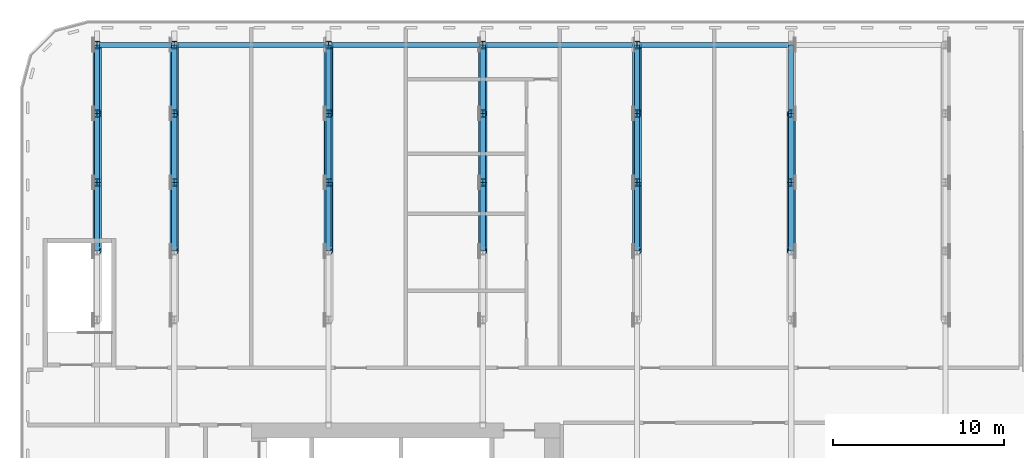
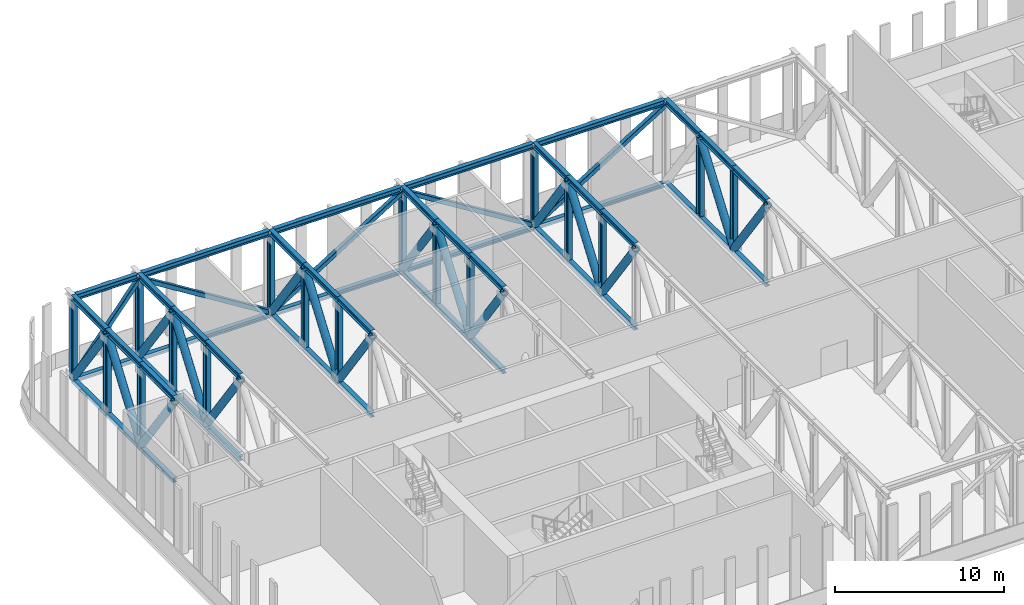
# One storey, part 3 of 26: 85 members.
"""IFC4 building model written with IfcOpenShell, lengths in metres."""

from ifc_helpers import new_model, si_unit, direction, frame, origin, origin_2d, place, context, subcontext, project, spatial, hollow_rectangle, hollow_circle, i_section, extrude, material, material_profile, profile_set, type_object, element, save


model = new_model("IFC4")

# Units and contexts
model_context = context("Model", 3, precision=1e-05, world=origin(), true_north=direction((0.0, 1.0)))
body_context = subcontext(model_context, "Body", "Model", "MODEL_VIEW")
ifc_project = project(units=[si_unit("LENGTHUNIT", "METRE"), si_unit("AREAUNIT", "SQUARE_METRE"), si_unit("VOLUMEUNIT", "CUBIC_METRE"), si_unit("PLANEANGLEUNIT", "RADIAN"), si_unit("MASSUNIT", "GRAM", prefix="KILO")], contexts=[model_context])

# Site, building, storey
site_placement = place(None, origin())
site = spatial("IfcSite", under=ifc_project, at=site_placement, CompositionType="ELEMENT")
building_placement = place(site_placement, origin())
building = spatial("IfcBuilding", under=site, at=building_placement, Name="Kajstack Hotel Tower", CompositionType="ELEMENT")
storey_placement = place(building_placement, frame((0.0, 0.0, 47.0)))
storey = spatial("IfcBuildingStorey", under=building, at=storey_placement, Name="L07", CompositionType="ELEMENT", Elevation=47.0)

# Members
ifc_material = material(Name="Steel S355J2", Category="steel")
ifc_material_profile_1 = material_profile(ifc_material, i_section(OverallWidth=0.300048828125, OverallDepth=0.300048828125, WebThickness=0.010986328125, FlangeThickness=0.01904296875, FilletRadius=0.027099609375, at=origin_2d()), Name="HEB 300")
ifc_profile_set_1 = profile_set([ifc_material_profile_1], Name="Steel S355J2")
member_type_1 = type_object("IfcMemberType", Name="Belt truss bottom chord BB1 HEB 300", PredefinedType="CHORD", material=ifc_profile_set_1)
member_1_placement = place(storey_placement, frame((-40.35009765625, 20.550048828125, -0.14990234375), z_axis=(1.0, 0.0, 0.0), x_axis=(0.0, 1.0, 0.0)))
element("IfcMember", 1, at=member_1_placement, inside=storey, type_object=member_type_1, Name="S-belt-truss-L07-n01-b", PredefinedType="CHORD", context=body_context, shape_type="SweptSolid", body=[
    extrude(i_section(OverallWidth=0.300048828125, OverallDepth=0.300048828125, WebThickness=0.010986328125, FlangeThickness=0.01904296875, FilletRadius=0.027099609375, at=origin_2d()), origin(), (0.0, 0.0, 1.0), 4.2001953125),
])
for number, where, z_axis, x_axis, name in (
    (2, (-35.85009765625, 20.550048828125, -0.14990234375), (1.0, 0.0, 0.0), (0.0, 1.0, 0.0), "S-belt-truss-L07-n02-b"),
    (3, (-26.85009765625, 20.550048828125, -0.14990234375), (1.0, 0.0, 0.0), (0.0, 1.0, 0.0), "S-belt-truss-L07-n03-b"),
    (4, (-17.85009765625, 20.550048828125, -0.14990234375), (1.0, 0.0, 0.0), (0.0, 1.0, 0.0), "S-belt-truss-L07-n04-b"),
    (5, (-8.85009765625, 20.550048828125, -0.14990234375), (1.0, 0.0, 0.0), (0.0, 1.0, 0.0), "S-belt-truss-L07-n05-b"),
):
    element("IfcMember", number, at=place(storey_placement, frame(where, z_axis=z_axis, x_axis=x_axis)), inside=storey, type_object=member_type_1, Name=name, PredefinedType="CHORD", context=body_context, shape_type="SweptSolid", body=[
        extrude(i_section(OverallWidth=0.300048828125, OverallDepth=0.300048828125, WebThickness=0.010986328125, FlangeThickness=0.01904296875, FilletRadius=0.027099609375, at=origin_2d()), origin(), (0.0, 0.0, 1.0), 8.7001953125),
    ])
ifc_material_profile_2 = material_profile(ifc_material, hollow_rectangle(XDim=0.300048828125, YDim=0.300048828125, WallThickness=0.01611328125, InnerFilletRadius=0.01611328125, OuterFilletRadius=0.02392578125, at=origin_2d()), Name="SHS 300x300x16")
ifc_profile_set_2 = profile_set([ifc_material_profile_2], Name="Steel S355J2")
member_type_2 = type_object("IfcMemberType", Name="Belt truss diagonal BD1 SHS 300x300x16", PredefinedType="BRACE", material=ifc_profile_set_2)
member_2_placement = place(storey_placement, frame((-40.5, 20.550048828125, 0.0), z_axis=(0.626384470936, 0.0, 0.779514268356), x_axis=(0.0, 1.0, 0.0)))
element("IfcMember", 6, at=member_2_placement, inside=storey, type_object=member_type_2, Name="S-belt-truss-L07-n01-d", PredefinedType="BRACE", context=body_context, shape_type="SweptSolid", body=[
    extrude(hollow_rectangle(XDim=0.300048828125, YDim=0.300048828125, WallThickness=0.01611328125, InnerFilletRadius=0.01611328125, OuterFilletRadius=0.02392578125, at=origin_2d()), origin(), (0.0, 0.0, 1.0), 7.18408203125),
])
for number, where, z_axis, x_axis, name in (
    (7, (-27.0, 20.550048828125, 0.0), (-0.849052471267, 0.0, 0.528308528264), (0.0, -1.0, 0.0), "S-belt-truss-L07-n02-d"),
    (8, (-27.0, 20.550048828125, 0.0), (0.849052471267, 0.0, 0.528308528264), (0.0, 1.0, 0.0), "S-belt-truss-L07-n03-d"),
    (9, (-9.0, 20.550048828125, 0.0), (-0.849052471267, 0.0, 0.528308528264), (0.0, -1.0, 0.0), "S-belt-truss-L07-n04-d"),
    (10, (-9.0, 20.550048828125, 0.0), (0.849052471267, 0.0, 0.528308528264), (0.0, 1.0, 0.0), "S-belt-truss-L07-n05-d"),
):
    element("IfcMember", number, at=place(storey_placement, frame(where, z_axis=z_axis, x_axis=x_axis)), inside=storey, type_object=member_type_2, Name=name, PredefinedType="BRACE", context=body_context, shape_type="SweptSolid", body=[
        extrude(hollow_rectangle(XDim=0.300048828125, YDim=0.300048828125, WallThickness=0.01611328125, InnerFilletRadius=0.01611328125, OuterFilletRadius=0.02392578125, at=origin_2d()), origin(), (0.0, 0.0, 1.0), 10.60009765625),
    ])
ifc_material_profile_3 = material_profile(ifc_material, i_section(OverallWidth=0.300048828125, OverallDepth=0.39990234375, WebThickness=0.013427734375, FlangeThickness=0.02392578125, FilletRadius=0.027099609375, at=origin_2d()), Name="HEB 400")
ifc_profile_set_3 = profile_set([ifc_material_profile_3], Name="Steel S355J2")
member_type_3 = type_object("IfcMemberType", Name="Belt truss top chord BT1 HEB 400", PredefinedType="CHORD", material=ifc_profile_set_3)
member_3_placement = place(storey_placement, frame((-40.35009765625, 20.550048828125, 5.800048828125), z_axis=(1.0, 0.0, 0.0), x_axis=(0.0, 1.0, 0.0)))
element("IfcMember", 11, at=member_3_placement, inside=storey, type_object=member_type_3, Name="S-belt-truss-L07-n01-t", PredefinedType="CHORD", context=body_context, shape_type="SweptSolid", body=[
    extrude(i_section(OverallWidth=0.300048828125, OverallDepth=0.39990234375, WebThickness=0.013427734375, FlangeThickness=0.02392578125, FilletRadius=0.027099609375, at=origin_2d()), origin(), (0.0, 0.0, 1.0), 4.2001953125),
])
for number, where, z_axis, x_axis, name in (
    (12, (-35.85009765625, 20.550048828125, 5.800048828125), (1.0, 0.0, 0.0), (0.0, 1.0, 0.0), "S-belt-truss-L07-n02-t"),
    (13, (-26.85009765625, 20.550048828125, 5.800048828125), (1.0, 0.0, 0.0), (0.0, 1.0, 0.0), "S-belt-truss-L07-n03-t"),
    (14, (-17.85009765625, 20.550048828125, 5.800048828125), (1.0, 0.0, 0.0), (0.0, 1.0, 0.0), "S-belt-truss-L07-n04-t"),
    (15, (-8.85009765625, 20.550048828125, 5.800048828125), (1.0, 0.0, 0.0), (0.0, 1.0, 0.0), "S-belt-truss-L07-n05-t"),
):
    element("IfcMember", number, at=place(storey_placement, frame(where, z_axis=z_axis, x_axis=x_axis)), inside=storey, type_object=member_type_3, Name=name, PredefinedType="CHORD", context=body_context, shape_type="SweptSolid", body=[
        extrude(i_section(OverallWidth=0.300048828125, OverallDepth=0.39990234375, WebThickness=0.013427734375, FlangeThickness=0.02392578125, FilletRadius=0.027099609375, at=origin_2d()), origin(), (0.0, 0.0, 1.0), 8.7001953125),
    ])
ifc_material_profile_4 = material_profile(ifc_material, i_section(OverallWidth=0.300048828125, OverallDepth=0.300048828125, WebThickness=0.010986328125, FlangeThickness=0.01904296875, FilletRadius=0.027099609375, at=origin_2d()), Name="HEB 300")
ifc_profile_set_4 = profile_set([ifc_material_profile_4], Name="Steel S355J2")
member_type_4 = type_object("IfcMemberType", Name="Transfer truss bottom chord BC1 HEB 300", PredefinedType="CHORD", material=ifc_profile_set_4)
member_4_placement = place(storey_placement, frame((-40.5, 8.512451171875, -0.14990234375), z_axis=(0.0, 1.0, 0.0), x_axis=(-1.0, 0.0, 0.0)))
element("IfcMember", 16, at=member_4_placement, inside=storey, type_object=member_type_4, Name="S-transfer-truss-L07--40p5-1-bc9", PredefinedType="CHORD", context=body_context, shape_type="SweptSolid", body=[
    extrude(i_section(OverallWidth=0.300048828125, OverallDepth=0.300048828125, WebThickness=0.010986328125, FlangeThickness=0.01904296875, FilletRadius=0.027099609375, at=origin_2d()), origin(), (0.0, 0.0, 1.0), 4.012451171875),
])
member_5_placement = place(storey_placement, frame((-40.5, 12.52490234375, -0.14990234375), z_axis=(0.0, 1.0, 0.0), x_axis=(-1.0, 0.0, 0.0)))
element("IfcMember", 17, at=member_5_placement, inside=storey, type_object=member_type_4, Name="S-transfer-truss-L07--40p5-1-bc10", PredefinedType="CHORD", context=body_context, shape_type="SweptSolid", body=[
    extrude(i_section(OverallWidth=0.300048828125, OverallDepth=0.300048828125, WebThickness=0.010986328125, FlangeThickness=0.01904296875, FilletRadius=0.027099609375, at=origin_2d()), origin(), (0.0, 0.0, 1.0), 4.0126953125),
])
for number, where, z_axis, x_axis, name in (
    (18, (-40.5, 16.53759765625, -0.14990234375), (0.0, 1.0, 0.0), (-1.0, 0.0, 0.0), "S-transfer-truss-L07--40p5-1-bc11"),
    (19, (-36.0, 8.512451171875, -0.14990234375), (0.0, 1.0, 0.0), (-1.0, 0.0, 0.0), "S-transfer-truss-L07--36p0-1-bc9"),
):
    element("IfcMember", number, at=place(storey_placement, frame(where, z_axis=z_axis, x_axis=x_axis)), inside=storey, type_object=member_type_4, Name=name, PredefinedType="CHORD", context=body_context, shape_type="SweptSolid", body=[
        extrude(i_section(OverallWidth=0.300048828125, OverallDepth=0.300048828125, WebThickness=0.010986328125, FlangeThickness=0.01904296875, FilletRadius=0.027099609375, at=origin_2d()), origin(), (0.0, 0.0, 1.0), 4.012451171875),
    ])
member_6_placement = place(storey_placement, frame((-36.0, 12.52490234375, -0.14990234375), z_axis=(0.0, 1.0, 0.0), x_axis=(-1.0, 0.0, 0.0)))
element("IfcMember", 20, at=member_6_placement, inside=storey, type_object=member_type_4, Name="S-transfer-truss-L07--36p0-1-bc10", PredefinedType="CHORD", context=body_context, shape_type="SweptSolid", body=[
    extrude(i_section(OverallWidth=0.300048828125, OverallDepth=0.300048828125, WebThickness=0.010986328125, FlangeThickness=0.01904296875, FilletRadius=0.027099609375, at=origin_2d()), origin(), (0.0, 0.0, 1.0), 4.0126953125),
])
for number, where, z_axis, x_axis, name in (
    (21, (-36.0, 16.53759765625, -0.14990234375), (0.0, 1.0, 0.0), (-1.0, 0.0, 0.0), "S-transfer-truss-L07--36p0-1-bc11"),
    (22, (-27.0, 8.512451171875, -0.14990234375), (0.0, 1.0, 0.0), (-1.0, 0.0, 0.0), "S-outrigger-truss-L07--27p0-1-bc9"),
):
    element("IfcMember", number, at=place(storey_placement, frame(where, z_axis=z_axis, x_axis=x_axis)), inside=storey, type_object=member_type_4, Name=name, PredefinedType="CHORD", context=body_context, shape_type="SweptSolid", body=[
        extrude(i_section(OverallWidth=0.300048828125, OverallDepth=0.300048828125, WebThickness=0.010986328125, FlangeThickness=0.01904296875, FilletRadius=0.027099609375, at=origin_2d()), origin(), (0.0, 0.0, 1.0), 4.012451171875),
    ])
member_7_placement = place(storey_placement, frame((-27.0, 12.52490234375, -0.14990234375), z_axis=(0.0, 1.0, 0.0), x_axis=(-1.0, 0.0, 0.0)))
element("IfcMember", 23, at=member_7_placement, inside=storey, type_object=member_type_4, Name="S-outrigger-truss-L07--27p0-1-bc10", PredefinedType="CHORD", context=body_context, shape_type="SweptSolid", body=[
    extrude(i_section(OverallWidth=0.300048828125, OverallDepth=0.300048828125, WebThickness=0.010986328125, FlangeThickness=0.01904296875, FilletRadius=0.027099609375, at=origin_2d()), origin(), (0.0, 0.0, 1.0), 4.0126953125),
])
for number, where, z_axis, x_axis, name in (
    (24, (-27.0, 16.53759765625, -0.14990234375), (0.0, 1.0, 0.0), (-1.0, 0.0, 0.0), "S-outrigger-truss-L07--27p0-1-bc11"),
    (25, (-18.0, 8.512451171875, -0.14990234375), (0.0, 1.0, 0.0), (-1.0, 0.0, 0.0), "S-outrigger-truss-L07--18p0-1-bc9"),
):
    element("IfcMember", number, at=place(storey_placement, frame(where, z_axis=z_axis, x_axis=x_axis)), inside=storey, type_object=member_type_4, Name=name, PredefinedType="CHORD", context=body_context, shape_type="SweptSolid", body=[
        extrude(i_section(OverallWidth=0.300048828125, OverallDepth=0.300048828125, WebThickness=0.010986328125, FlangeThickness=0.01904296875, FilletRadius=0.027099609375, at=origin_2d()), origin(), (0.0, 0.0, 1.0), 4.012451171875),
    ])
member_8_placement = place(storey_placement, frame((-18.0, 12.52490234375, -0.14990234375), z_axis=(0.0, 1.0, 0.0), x_axis=(-1.0, 0.0, 0.0)))
element("IfcMember", 26, at=member_8_placement, inside=storey, type_object=member_type_4, Name="S-outrigger-truss-L07--18p0-1-bc10", PredefinedType="CHORD", context=body_context, shape_type="SweptSolid", body=[
    extrude(i_section(OverallWidth=0.300048828125, OverallDepth=0.300048828125, WebThickness=0.010986328125, FlangeThickness=0.01904296875, FilletRadius=0.027099609375, at=origin_2d()), origin(), (0.0, 0.0, 1.0), 4.0126953125),
])
for number, where, z_axis, x_axis, name in (
    (27, (-18.0, 16.53759765625, -0.14990234375), (0.0, 1.0, 0.0), (-1.0, 0.0, 0.0), "S-outrigger-truss-L07--18p0-1-bc11"),
    (28, (-9.0, 8.512451171875, -0.14990234375), (0.0, 1.0, 0.0), (-1.0, 0.0, 0.0), "S-transfer-truss-L07--9p0-1-bc18"),
):
    element("IfcMember", number, at=place(storey_placement, frame(where, z_axis=z_axis, x_axis=x_axis)), inside=storey, type_object=member_type_4, Name=name, PredefinedType="CHORD", context=body_context, shape_type="SweptSolid", body=[
        extrude(i_section(OverallWidth=0.300048828125, OverallDepth=0.300048828125, WebThickness=0.010986328125, FlangeThickness=0.01904296875, FilletRadius=0.027099609375, at=origin_2d()), origin(), (0.0, 0.0, 1.0), 4.012451171875),
    ])
member_9_placement = place(storey_placement, frame((-9.0, 12.52490234375, -0.14990234375), z_axis=(0.0, 1.0, 0.0), x_axis=(-1.0, 0.0, 0.0)))
element("IfcMember", 29, at=member_9_placement, inside=storey, type_object=member_type_4, Name="S-transfer-truss-L07--9p0-1-bc19", PredefinedType="CHORD", context=body_context, shape_type="SweptSolid", body=[
    extrude(i_section(OverallWidth=0.300048828125, OverallDepth=0.300048828125, WebThickness=0.010986328125, FlangeThickness=0.01904296875, FilletRadius=0.027099609375, at=origin_2d()), origin(), (0.0, 0.0, 1.0), 4.0126953125),
])
for number, where, z_axis, x_axis, name in (
    (30, (-9.0, 16.53759765625, -0.14990234375), (0.0, 1.0, 0.0), (-1.0, 0.0, 0.0), "S-transfer-truss-L07--9p0-1-bc20"),
    (31, (0.0, 8.512451171875, -0.14990234375), (0.0, 1.0, 0.0), (-1.0, 0.0, 0.0), "S-transfer-truss-L07-+0p0-1-bc18"),
):
    element("IfcMember", number, at=place(storey_placement, frame(where, z_axis=z_axis, x_axis=x_axis)), inside=storey, type_object=member_type_4, Name=name, PredefinedType="CHORD", context=body_context, shape_type="SweptSolid", body=[
        extrude(i_section(OverallWidth=0.300048828125, OverallDepth=0.300048828125, WebThickness=0.010986328125, FlangeThickness=0.01904296875, FilletRadius=0.027099609375, at=origin_2d()), origin(), (0.0, 0.0, 1.0), 4.012451171875),
    ])
member_10_placement = place(storey_placement, frame((0.0, 12.52490234375, -0.14990234375), z_axis=(0.0, 1.0, 0.0), x_axis=(-1.0, 0.0, 0.0)))
element("IfcMember", 32, at=member_10_placement, inside=storey, type_object=member_type_4, Name="S-transfer-truss-L07-+0p0-1-bc19", PredefinedType="CHORD", context=body_context, shape_type="SweptSolid", body=[
    extrude(i_section(OverallWidth=0.300048828125, OverallDepth=0.300048828125, WebThickness=0.010986328125, FlangeThickness=0.01904296875, FilletRadius=0.027099609375, at=origin_2d()), origin(), (0.0, 0.0, 1.0), 4.0126953125),
])
member_11_placement = place(storey_placement, frame((0.0, 16.53759765625, -0.14990234375), z_axis=(0.0, 1.0, 0.0), x_axis=(-1.0, 0.0, 0.0)))
element("IfcMember", 33, at=member_11_placement, inside=storey, type_object=member_type_4, Name="S-transfer-truss-L07-+0p0-1-bc20", PredefinedType="CHORD", context=body_context, shape_type="SweptSolid", body=[
    extrude(i_section(OverallWidth=0.300048828125, OverallDepth=0.300048828125, WebThickness=0.010986328125, FlangeThickness=0.01904296875, FilletRadius=0.027099609375, at=origin_2d()), origin(), (0.0, 0.0, 1.0), 4.012451171875),
])
ifc_material_profile_5 = material_profile(ifc_material, hollow_circle(Radius=0.25390625, WallThickness=0.02490234375, at=origin_2d()), Name="CHS 508x25")
ifc_profile_set_5 = profile_set([ifc_material_profile_5], Name="Steel S355J2")
member_type_5 = type_object("IfcMemberType", Name="Transfer truss diagonal DG1 CHS 508x25", PredefinedType="BRACE", material=ifc_profile_set_5)
member_12_placement = place(storey_placement, frame((-40.5, 12.52490234375, 0.0), z_axis=(0.0, -0.582427626866, 0.812882561914), x_axis=(1.0, 0.0, 0.0)))
element("IfcMember", 34, at=member_12_placement, inside=storey, type_object=member_type_5, Name="S-transfer-truss-L07--40p5-1-dg18", PredefinedType="BRACE", context=body_context, shape_type="SweptSolid", body=[
    extrude(hollow_circle(Radius=0.25390625, WallThickness=0.02490234375, at=origin_2d()), origin(), (0.0, 0.0, 1.0), 6.88916015625),
])
member_13_placement = place(storey_placement, frame((-40.5, 12.52490234375, 0.0), z_axis=(0.0, 0.582451042959, 0.812865783851), x_axis=(-1.0, 0.0, 0.0)))
element("IfcMember", 35, at=member_13_placement, inside=storey, type_object=member_type_5, Name="S-transfer-truss-L07--40p5-1-dg19", PredefinedType="BRACE", context=body_context, shape_type="SweptSolid", body=[
    extrude(hollow_circle(Radius=0.25390625, WallThickness=0.02490234375, at=origin_2d()), origin(), (0.0, 0.0, 1.0), 6.889404296875),
])
for number, where, z_axis, x_axis, name in (
    (36, (-40.5, 20.550048828125, 0.0), (0.0, -0.582427626866, 0.812882561914), (1.0, 0.0, 0.0), "S-transfer-truss-L07--40p5-1-dg20"),
    (37, (-36.0, 12.52490234375, 0.0), (0.0, -0.582427626866, 0.812882561914), (1.0, 0.0, 0.0), "S-transfer-truss-L07--36p0-1-dg18"),
):
    element("IfcMember", number, at=place(storey_placement, frame(where, z_axis=z_axis, x_axis=x_axis)), inside=storey, type_object=member_type_5, Name=name, PredefinedType="BRACE", context=body_context, shape_type="SweptSolid", body=[
        extrude(hollow_circle(Radius=0.25390625, WallThickness=0.02490234375, at=origin_2d()), origin(), (0.0, 0.0, 1.0), 6.88916015625),
    ])
member_14_placement = place(storey_placement, frame((-36.0, 12.52490234375, 0.0), z_axis=(0.0, 0.582451042959, 0.812865783851), x_axis=(-1.0, 0.0, 0.0)))
element("IfcMember", 38, at=member_14_placement, inside=storey, type_object=member_type_5, Name="S-transfer-truss-L07--36p0-1-dg19", PredefinedType="BRACE", context=body_context, shape_type="SweptSolid", body=[
    extrude(hollow_circle(Radius=0.25390625, WallThickness=0.02490234375, at=origin_2d()), origin(), (0.0, 0.0, 1.0), 6.889404296875),
])
for number, where, z_axis, x_axis, name in (
    (39, (-36.0, 20.550048828125, 0.0), (0.0, -0.582427626866, 0.812882561914), (1.0, 0.0, 0.0), "S-transfer-truss-L07--36p0-1-dg20"),
    (40, (-27.0, 12.52490234375, 0.0), (0.0, -0.582427626866, 0.812882561914), (1.0, 0.0, 0.0), "S-outrigger-truss-L07--27p0-1-dg18"),
):
    element("IfcMember", number, at=place(storey_placement, frame(where, z_axis=z_axis, x_axis=x_axis)), inside=storey, type_object=member_type_5, Name=name, PredefinedType="BRACE", context=body_context, shape_type="SweptSolid", body=[
        extrude(hollow_circle(Radius=0.25390625, WallThickness=0.02490234375, at=origin_2d()), origin(), (0.0, 0.0, 1.0), 6.88916015625),
    ])
member_15_placement = place(storey_placement, frame((-27.0, 12.52490234375, 0.0), z_axis=(0.0, 0.582451042959, 0.812865783851), x_axis=(-1.0, 0.0, 0.0)))
element("IfcMember", 41, at=member_15_placement, inside=storey, type_object=member_type_5, Name="S-outrigger-truss-L07--27p0-1-dg19", PredefinedType="BRACE", context=body_context, shape_type="SweptSolid", body=[
    extrude(hollow_circle(Radius=0.25390625, WallThickness=0.02490234375, at=origin_2d()), origin(), (0.0, 0.0, 1.0), 6.889404296875),
])
for number, where, z_axis, x_axis, name in (
    (42, (-27.0, 20.550048828125, 0.0), (0.0, -0.582427626866, 0.812882561914), (1.0, 0.0, 0.0), "S-outrigger-truss-L07--27p0-1-dg20"),
    (43, (-18.0, 12.52490234375, 0.0), (0.0, -0.582427626866, 0.812882561914), (1.0, 0.0, 0.0), "S-outrigger-truss-L07--18p0-1-dg18"),
):
    element("IfcMember", number, at=place(storey_placement, frame(where, z_axis=z_axis, x_axis=x_axis)), inside=storey, type_object=member_type_5, Name=name, PredefinedType="BRACE", context=body_context, shape_type="SweptSolid", body=[
        extrude(hollow_circle(Radius=0.25390625, WallThickness=0.02490234375, at=origin_2d()), origin(), (0.0, 0.0, 1.0), 6.88916015625),
    ])
member_16_placement = place(storey_placement, frame((-18.0, 12.52490234375, 0.0), z_axis=(0.0, 0.582451042959, 0.812865783851), x_axis=(-1.0, 0.0, 0.0)))
element("IfcMember", 44, at=member_16_placement, inside=storey, type_object=member_type_5, Name="S-outrigger-truss-L07--18p0-1-dg19", PredefinedType="BRACE", context=body_context, shape_type="SweptSolid", body=[
    extrude(hollow_circle(Radius=0.25390625, WallThickness=0.02490234375, at=origin_2d()), origin(), (0.0, 0.0, 1.0), 6.889404296875),
])
for number, where, z_axis, x_axis, name in (
    (45, (-18.0, 20.550048828125, 0.0), (0.0, -0.582427626866, 0.812882561914), (1.0, 0.0, 0.0), "S-outrigger-truss-L07--18p0-1-dg20"),
    (46, (-9.0, 12.52490234375, 0.0), (0.0, -0.582427626866, 0.812882561914), (1.0, 0.0, 0.0), "S-transfer-truss-L07--9p0-1-dg36"),
):
    element("IfcMember", number, at=place(storey_placement, frame(where, z_axis=z_axis, x_axis=x_axis)), inside=storey, type_object=member_type_5, Name=name, PredefinedType="BRACE", context=body_context, shape_type="SweptSolid", body=[
        extrude(hollow_circle(Radius=0.25390625, WallThickness=0.02490234375, at=origin_2d()), origin(), (0.0, 0.0, 1.0), 6.88916015625),
    ])
member_17_placement = place(storey_placement, frame((-9.0, 12.52490234375, 0.0), z_axis=(0.0, 0.582451042959, 0.812865783851), x_axis=(-1.0, 0.0, 0.0)))
element("IfcMember", 47, at=member_17_placement, inside=storey, type_object=member_type_5, Name="S-transfer-truss-L07--9p0-1-dg37", PredefinedType="BRACE", context=body_context, shape_type="SweptSolid", body=[
    extrude(hollow_circle(Radius=0.25390625, WallThickness=0.02490234375, at=origin_2d()), origin(), (0.0, 0.0, 1.0), 6.889404296875),
])
for number, where, z_axis, x_axis, name in (
    (48, (-9.0, 20.550048828125, 0.0), (0.0, -0.582427626866, 0.812882561914), (1.0, 0.0, 0.0), "S-transfer-truss-L07--9p0-1-dg38"),
    (49, (0.0, 12.52490234375, 0.0), (0.0, -0.582427626866, 0.812882561914), (1.0, 0.0, 0.0), "S-transfer-truss-L07-+0p0-1-dg36"),
):
    element("IfcMember", number, at=place(storey_placement, frame(where, z_axis=z_axis, x_axis=x_axis)), inside=storey, type_object=member_type_5, Name=name, PredefinedType="BRACE", context=body_context, shape_type="SweptSolid", body=[
        extrude(hollow_circle(Radius=0.25390625, WallThickness=0.02490234375, at=origin_2d()), origin(), (0.0, 0.0, 1.0), 6.88916015625),
    ])
member_18_placement = place(storey_placement, frame((0.0, 12.52490234375, 0.0), z_axis=(0.0, 0.582451042959, 0.812865783851), x_axis=(-1.0, 0.0, 0.0)))
element("IfcMember", 50, at=member_18_placement, inside=storey, type_object=member_type_5, Name="S-transfer-truss-L07-+0p0-1-dg37", PredefinedType="BRACE", context=body_context, shape_type="SweptSolid", body=[
    extrude(hollow_circle(Radius=0.25390625, WallThickness=0.02490234375, at=origin_2d()), origin(), (0.0, 0.0, 1.0), 6.889404296875),
])
ifc_material_profile_6 = material_profile(ifc_material, i_section(OverallWidth=0.306884765625, OverallDepth=0.431884765625, WebThickness=0.02099609375, FlangeThickness=0.0400390625, FilletRadius=0.027099609375, at=origin_2d()), Name="HEM 400")
ifc_profile_set_6 = profile_set([ifc_material_profile_6], Name="Steel S355J2")
member_type_6 = type_object("IfcMemberType", Name="Transfer truss post PO1 HEM 400", PredefinedType="POST", material=ifc_profile_set_6)
for number, where, z_axis, x_axis, name in (
    (51, (-40.5, 12.52490234375, 0.0), (0.0, 0.0, 1.0), (1.0, 0.0, 0.0), "S-transfer-truss-L07--40p5-1-po14"),
    (52, (-40.5, 16.53759765625, 0.0), (0.0, 0.0, 1.0), (1.0, 0.0, 0.0), "S-transfer-truss-L07--40p5-1-po15"),
    (53, (-40.5, 20.550048828125, 0.0), (0.0, 0.0, 1.0), (1.0, 0.0, 0.0), "S-transfer-truss-L07--40p5-1-po16"),
    (54, (-36.0, 12.52490234375, 0.0), (0.0, 0.0, 1.0), (1.0, 0.0, 0.0), "S-transfer-truss-L07--36p0-1-po14"),
    (55, (-36.0, 16.53759765625, 0.0), (0.0, 0.0, 1.0), (1.0, 0.0, 0.0), "S-transfer-truss-L07--36p0-1-po15"),
    (56, (-36.0, 20.550048828125, 0.0), (0.0, 0.0, 1.0), (1.0, 0.0, 0.0), "S-transfer-truss-L07--36p0-1-po16"),
    (57, (-27.0, 12.52490234375, 0.0), (0.0, 0.0, 1.0), (1.0, 0.0, 0.0), "S-outrigger-truss-L07--27p0-1-po14"),
    (58, (-27.0, 16.53759765625, 0.0), (0.0, 0.0, 1.0), (1.0, 0.0, 0.0), "S-outrigger-truss-L07--27p0-1-po15"),
    (59, (-27.0, 20.550048828125, 0.0), (0.0, 0.0, 1.0), (1.0, 0.0, 0.0), "S-outrigger-truss-L07--27p0-1-po16"),
    (60, (-18.0, 12.52490234375, 0.0), (0.0, 0.0, 1.0), (1.0, 0.0, 0.0), "S-outrigger-truss-L07--18p0-1-po14"),
    (61, (-18.0, 16.53759765625, 0.0), (0.0, 0.0, 1.0), (1.0, 0.0, 0.0), "S-outrigger-truss-L07--18p0-1-po15"),
    (62, (-18.0, 20.550048828125, 0.0), (0.0, 0.0, 1.0), (1.0, 0.0, 0.0), "S-outrigger-truss-L07--18p0-1-po16"),
    (63, (-9.0, 12.52490234375, 0.0), (0.0, 0.0, 1.0), (1.0, 0.0, 0.0), "S-transfer-truss-L07--9p0-1-po28"),
    (64, (-9.0, 16.53759765625, 0.0), (0.0, 0.0, 1.0), (1.0, 0.0, 0.0), "S-transfer-truss-L07--9p0-1-po29"),
    (65, (-9.0, 20.550048828125, 0.0), (0.0, 0.0, 1.0), (1.0, 0.0, 0.0), "S-transfer-truss-L07--9p0-1-po30"),
    (66, (0.0, 12.52490234375, 0.0), (0.0, 0.0, 1.0), (1.0, 0.0, 0.0), "S-transfer-truss-L07-+0p0-1-po28"),
    (67, (0.0, 16.53759765625, 0.0), (0.0, 0.0, 1.0), (1.0, 0.0, 0.0), "S-transfer-truss-L07-+0p0-1-po29"),
):
    element("IfcMember", number, at=place(storey_placement, frame(where, z_axis=z_axis, x_axis=x_axis)), inside=storey, type_object=member_type_6, Name=name, PredefinedType="POST", context=body_context, shape_type="SweptSolid", body=[
        extrude(i_section(OverallWidth=0.306884765625, OverallDepth=0.431884765625, WebThickness=0.02099609375, FlangeThickness=0.0400390625, FilletRadius=0.027099609375, at=origin_2d()), origin(), (0.0, 0.0, 1.0), 5.60009765625),
    ])
ifc_material_profile_7 = material_profile(ifc_material, i_section(OverallWidth=0.300048828125, OverallDepth=0.39990234375, WebThickness=0.013427734375, FlangeThickness=0.02392578125, FilletRadius=0.027099609375, at=origin_2d()), Name="HEB 400")
ifc_profile_set_7 = profile_set([ifc_material_profile_7], Name="Steel S355J2")
member_type_7 = type_object("IfcMemberType", Name="Transfer truss top chord TC1 HEB 400", PredefinedType="CHORD", material=ifc_profile_set_7)
member_19_placement = place(storey_placement, frame((-40.5, 8.512451171875, 5.800048828125), z_axis=(0.0, 1.0, 0.0), x_axis=(-1.0, 0.0, 0.0)))
element("IfcMember", 68, at=member_19_placement, inside=storey, type_object=member_type_7, Name="S-transfer-truss-L07--40p5-1-tc3", PredefinedType="CHORD", context=body_context, shape_type="SweptSolid", body=[
    extrude(i_section(OverallWidth=0.300048828125, OverallDepth=0.39990234375, WebThickness=0.013427734375, FlangeThickness=0.02392578125, FilletRadius=0.027099609375, at=origin_2d()), origin(), (0.0, 0.0, 1.0), 4.012451171875),
])
member_20_placement = place(storey_placement, frame((-40.5, 12.52490234375, 5.800048828125), z_axis=(0.0, 1.0, 0.0), x_axis=(-1.0, 0.0, 0.0)))
element("IfcMember", 69, at=member_20_placement, inside=storey, type_object=member_type_7, Name="S-transfer-truss-L07--40p5-1-tc4", PredefinedType="CHORD", context=body_context, shape_type="SweptSolid", body=[
    extrude(i_section(OverallWidth=0.300048828125, OverallDepth=0.39990234375, WebThickness=0.013427734375, FlangeThickness=0.02392578125, FilletRadius=0.027099609375, at=origin_2d()), origin(), (0.0, 0.0, 1.0), 4.0126953125),
])
for number, where, z_axis, x_axis, name in (
    (70, (-40.5, 16.53759765625, 5.800048828125), (0.0, 1.0, 0.0), (-1.0, 0.0, 0.0), "S-transfer-truss-L07--40p5-1-tc5"),
    (71, (-36.0, 8.512451171875, 5.800048828125), (0.0, 1.0, 0.0), (-1.0, 0.0, 0.0), "S-transfer-truss-L07--36p0-1-tc3"),
):
    element("IfcMember", number, at=place(storey_placement, frame(where, z_axis=z_axis, x_axis=x_axis)), inside=storey, type_object=member_type_7, Name=name, PredefinedType="CHORD", context=body_context, shape_type="SweptSolid", body=[
        extrude(i_section(OverallWidth=0.300048828125, OverallDepth=0.39990234375, WebThickness=0.013427734375, FlangeThickness=0.02392578125, FilletRadius=0.027099609375, at=origin_2d()), origin(), (0.0, 0.0, 1.0), 4.012451171875),
    ])
member_21_placement = place(storey_placement, frame((-36.0, 12.52490234375, 5.800048828125), z_axis=(0.0, 1.0, 0.0), x_axis=(-1.0, 0.0, 0.0)))
element("IfcMember", 72, at=member_21_placement, inside=storey, type_object=member_type_7, Name="S-transfer-truss-L07--36p0-1-tc4", PredefinedType="CHORD", context=body_context, shape_type="SweptSolid", body=[
    extrude(i_section(OverallWidth=0.300048828125, OverallDepth=0.39990234375, WebThickness=0.013427734375, FlangeThickness=0.02392578125, FilletRadius=0.027099609375, at=origin_2d()), origin(), (0.0, 0.0, 1.0), 4.0126953125),
])
for number, where, z_axis, x_axis, name in (
    (73, (-36.0, 16.53759765625, 5.800048828125), (0.0, 1.0, 0.0), (-1.0, 0.0, 0.0), "S-transfer-truss-L07--36p0-1-tc5"),
    (74, (-27.0, 8.512451171875, 5.800048828125), (0.0, 1.0, 0.0), (-1.0, 0.0, 0.0), "S-outrigger-truss-L07--27p0-1-tc3"),
):
    element("IfcMember", number, at=place(storey_placement, frame(where, z_axis=z_axis, x_axis=x_axis)), inside=storey, type_object=member_type_7, Name=name, PredefinedType="CHORD", context=body_context, shape_type="SweptSolid", body=[
        extrude(i_section(OverallWidth=0.300048828125, OverallDepth=0.39990234375, WebThickness=0.013427734375, FlangeThickness=0.02392578125, FilletRadius=0.027099609375, at=origin_2d()), origin(), (0.0, 0.0, 1.0), 4.012451171875),
    ])
member_22_placement = place(storey_placement, frame((-27.0, 12.52490234375, 5.800048828125), z_axis=(0.0, 1.0, 0.0), x_axis=(-1.0, 0.0, 0.0)))
element("IfcMember", 75, at=member_22_placement, inside=storey, type_object=member_type_7, Name="S-outrigger-truss-L07--27p0-1-tc4", PredefinedType="CHORD", context=body_context, shape_type="SweptSolid", body=[
    extrude(i_section(OverallWidth=0.300048828125, OverallDepth=0.39990234375, WebThickness=0.013427734375, FlangeThickness=0.02392578125, FilletRadius=0.027099609375, at=origin_2d()), origin(), (0.0, 0.0, 1.0), 4.0126953125),
])
for number, where, z_axis, x_axis, name in (
    (76, (-27.0, 16.53759765625, 5.800048828125), (0.0, 1.0, 0.0), (-1.0, 0.0, 0.0), "S-outrigger-truss-L07--27p0-1-tc5"),
    (77, (-18.0, 8.512451171875, 5.800048828125), (0.0, 1.0, 0.0), (-1.0, 0.0, 0.0), "S-outrigger-truss-L07--18p0-1-tc3"),
):
    element("IfcMember", number, at=place(storey_placement, frame(where, z_axis=z_axis, x_axis=x_axis)), inside=storey, type_object=member_type_7, Name=name, PredefinedType="CHORD", context=body_context, shape_type="SweptSolid", body=[
        extrude(i_section(OverallWidth=0.300048828125, OverallDepth=0.39990234375, WebThickness=0.013427734375, FlangeThickness=0.02392578125, FilletRadius=0.027099609375, at=origin_2d()), origin(), (0.0, 0.0, 1.0), 4.012451171875),
    ])
member_23_placement = place(storey_placement, frame((-18.0, 12.52490234375, 5.800048828125), z_axis=(0.0, 1.0, 0.0), x_axis=(-1.0, 0.0, 0.0)))
element("IfcMember", 78, at=member_23_placement, inside=storey, type_object=member_type_7, Name="S-outrigger-truss-L07--18p0-1-tc4", PredefinedType="CHORD", context=body_context, shape_type="SweptSolid", body=[
    extrude(i_section(OverallWidth=0.300048828125, OverallDepth=0.39990234375, WebThickness=0.013427734375, FlangeThickness=0.02392578125, FilletRadius=0.027099609375, at=origin_2d()), origin(), (0.0, 0.0, 1.0), 4.0126953125),
])
for number, where, z_axis, x_axis, name in (
    (79, (-18.0, 16.53759765625, 5.800048828125), (0.0, 1.0, 0.0), (-1.0, 0.0, 0.0), "S-outrigger-truss-L07--18p0-1-tc5"),
    (80, (-9.0, 8.512451171875, 5.800048828125), (0.0, 1.0, 0.0), (-1.0, 0.0, 0.0), "S-transfer-truss-L07--9p0-1-tc8"),
):
    element("IfcMember", number, at=place(storey_placement, frame(where, z_axis=z_axis, x_axis=x_axis)), inside=storey, type_object=member_type_7, Name=name, PredefinedType="CHORD", context=body_context, shape_type="SweptSolid", body=[
        extrude(i_section(OverallWidth=0.300048828125, OverallDepth=0.39990234375, WebThickness=0.013427734375, FlangeThickness=0.02392578125, FilletRadius=0.027099609375, at=origin_2d()), origin(), (0.0, 0.0, 1.0), 4.012451171875),
    ])
member_24_placement = place(storey_placement, frame((-9.0, 12.52490234375, 5.800048828125), z_axis=(0.0, 1.0, 0.0), x_axis=(-1.0, 0.0, 0.0)))
element("IfcMember", 81, at=member_24_placement, inside=storey, type_object=member_type_7, Name="S-transfer-truss-L07--9p0-1-tc9", PredefinedType="CHORD", context=body_context, shape_type="SweptSolid", body=[
    extrude(i_section(OverallWidth=0.300048828125, OverallDepth=0.39990234375, WebThickness=0.013427734375, FlangeThickness=0.02392578125, FilletRadius=0.027099609375, at=origin_2d()), origin(), (0.0, 0.0, 1.0), 4.0126953125),
])
for number, where, z_axis, x_axis, name in (
    (82, (-9.0, 16.53759765625, 5.800048828125), (0.0, 1.0, 0.0), (-1.0, 0.0, 0.0), "S-transfer-truss-L07--9p0-1-tc10"),
    (83, (0.0, 8.512451171875, 5.800048828125), (0.0, 1.0, 0.0), (-1.0, 0.0, 0.0), "S-transfer-truss-L07-+0p0-1-tc8"),
):
    element("IfcMember", number, at=place(storey_placement, frame(where, z_axis=z_axis, x_axis=x_axis)), inside=storey, type_object=member_type_7, Name=name, PredefinedType="CHORD", context=body_context, shape_type="SweptSolid", body=[
        extrude(i_section(OverallWidth=0.300048828125, OverallDepth=0.39990234375, WebThickness=0.013427734375, FlangeThickness=0.02392578125, FilletRadius=0.027099609375, at=origin_2d()), origin(), (0.0, 0.0, 1.0), 4.012451171875),
    ])
member_25_placement = place(storey_placement, frame((0.0, 12.52490234375, 5.800048828125), z_axis=(0.0, 1.0, 0.0), x_axis=(-1.0, 0.0, 0.0)))
element("IfcMember", 84, at=member_25_placement, inside=storey, type_object=member_type_7, Name="S-transfer-truss-L07-+0p0-1-tc9", PredefinedType="CHORD", context=body_context, shape_type="SweptSolid", body=[
    extrude(i_section(OverallWidth=0.300048828125, OverallDepth=0.39990234375, WebThickness=0.013427734375, FlangeThickness=0.02392578125, FilletRadius=0.027099609375, at=origin_2d()), origin(), (0.0, 0.0, 1.0), 4.0126953125),
])
member_26_placement = place(storey_placement, frame((0.0, 16.53759765625, 5.800048828125), z_axis=(0.0, 1.0, 0.0), x_axis=(-1.0, 0.0, 0.0)))
element("IfcMember", 85, at=member_26_placement, inside=storey, type_object=member_type_7, Name="S-transfer-truss-L07-+0p0-1-tc10", PredefinedType="CHORD", context=body_context, shape_type="SweptSolid", body=[
    extrude(i_section(OverallWidth=0.300048828125, OverallDepth=0.39990234375, WebThickness=0.013427734375, FlangeThickness=0.02392578125, FilletRadius=0.027099609375, at=origin_2d()), origin(), (0.0, 0.0, 1.0), 4.012451171875),
])

save(model, "model.ifc")
